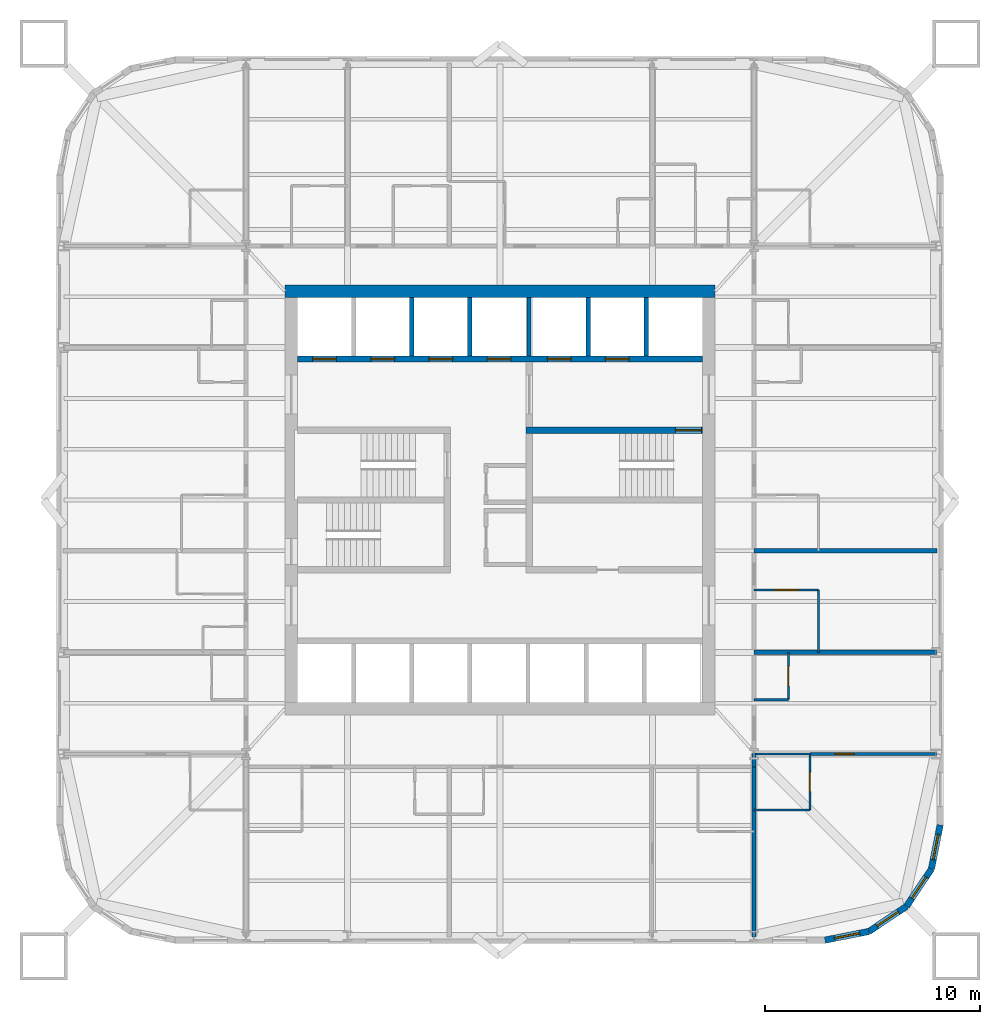
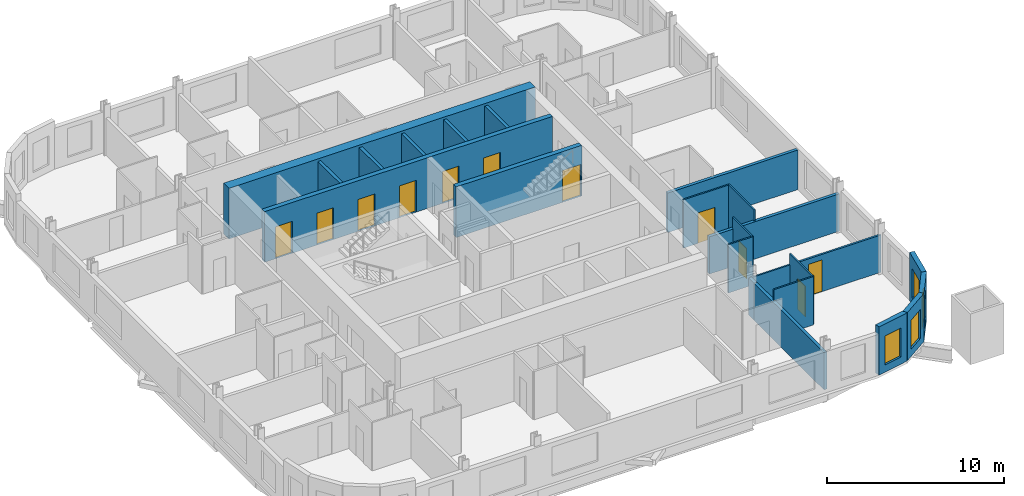
# One storey, part 5 of 9: 24 walls, 11 doors, 4 windows, 15 openings.
"""IFC4 building model written with IfcOpenShell, lengths in metres."""

from ifc_helpers import new_model, si_unit, direction, frame, frame_2d, origin, place, context, subcontext, project, spatial, rectangle, extrude, material, layer, layer_set, type_object, element, fill, save


model = new_model("IFC4")

# Units and contexts
model_context = context("Model", 3, precision=1e-05, world=origin(), true_north=direction((0.0, 1.0)))
body_context = subcontext(model_context, "Body", "Model", "MODEL_VIEW")
ifc_project = project(units=[si_unit("LENGTHUNIT", "METRE"), si_unit("AREAUNIT", "SQUARE_METRE"), si_unit("VOLUMEUNIT", "CUBIC_METRE"), si_unit("PLANEANGLEUNIT", "RADIAN"), si_unit("MASSUNIT", "GRAM", prefix="KILO")], contexts=[model_context])

# Site, building, storey
site_placement = place(None, origin())
site = spatial("IfcSite", under=ifc_project, at=site_placement, CompositionType="ELEMENT")
building_placement = place(site_placement, origin())
building = spatial("IfcBuilding", under=site, at=building_placement, Name="Turquesa Mirador Hotel Tower", CompositionType="ELEMENT")
storey_placement = place(building_placement, frame((0.0, 0.0, 124.89990234375)))
storey = spatial("IfcBuildingStorey", under=building, at=storey_placement, Name="L33", CompositionType="ELEMENT", Elevation=124.89990234375)

# Walls
ifc_material_1 = material(Name="Gypsum board on steel studs", Category="steel")
ifc_layer_1 = layer(ifc_material_1, 0.10009765625)
ifc_layer_set_1 = layer_set([ifc_layer_1], Name="BATHROOM WALL 100")
wall_type_1 = type_object("IfcWallType", Name="BATHROOM WALL 100", PredefinedType="PARTITIONING", material=ifc_layer_set_1)
wall_1_placement = place(storey_placement, frame((66.800048828125, 33.199951171875, 0.0), z_axis=(0.0, 0.0, 1.0), x_axis=(1.0, 0.0, 0.0)))
element("IfcWall", 1, at=wall_1_placement, inside=storey, type_object=wall_type_1, Name="Partition L33 002", PredefinedType="PARTITIONING", context=body_context, shape_type="SweptSolid", body=[
    extrude(rectangle(XDim=2.599853515625, YDim=0.10009765625, at=frame_2d((1.2998046875, 0.0))), origin(), (0.0, 0.0, 1.0), 2.5732421875),
])
wall_2_placement = place(storey_placement, frame((66.800048828125, 30.60009765625, 0.0), z_axis=(0.0, 0.0, 1.0), x_axis=(1.0, 0.0, 0.0)))
element("IfcWall", 2, at=wall_2_placement, inside=storey, type_object=wall_type_1, Name="Partition L33 007", PredefinedType="PARTITIONING", context=body_context, shape_type="SweptSolid", body=[
    extrude(rectangle(XDim=2.599853515625, YDim=0.10009765625, at=frame_2d((1.2998046875, 0.0))), origin(), (0.0, 0.0, 1.0), 3.330078125),
])

# Wall, opening, door
wall_3_placement = place(storey_placement, frame((66.800048828125, 40.820068359375, 0.0), z_axis=(0.0, 0.0, 1.0), x_axis=(1.0, 0.0, 0.0)))
wall_3 = element("IfcWall", 3, at=wall_3_placement, inside=storey, type_object=wall_type_1, Name="Partition L33 015", PredefinedType="PARTITIONING", context=body_context, shape_type="SweptSolid", body=[
    extrude(rectangle(XDim=3.0, YDim=0.10009765625, at=frame_2d((1.5, 0.0))), origin(), (0.0, 0.0, 1.0), 3.330078125),
])
opening_1_placement = place(wall_3_placement, frame((0.949951171875, 0.0, 0.0)))
opening_1 = element("IfcOpeningElement", 4, at=opening_1_placement, cuts=wall_3, Name="Opening D16", PredefinedType="OPENING", context=body_context, shape_type="SweptSolid", body=[
    extrude(rectangle(XDim=1.10009765625, YDim=2.10009765625, at=frame_2d((0.550048828125, 1.050048828125))), frame((0.0, 0.06005859375, 0.0), z_axis=(0.0, -1.0, 0.0), x_axis=(1.0, 0.0, 0.0)), (0.0, 0.0, 1.0), 0.1201171875),
])
ifc_material_2 = material(Name="Timber veneered sliding door", Category="wood")
door_type_1 = type_object("IfcDoorType", Name="DOOR 1100X2100 ACCESSIBLE EN-SUITE", OperationType="SLIDING_TO_LEFT", PredefinedType="DOOR", material=ifc_material_2)
door_1_placement = place(opening_1_placement, origin())
door_1 = element("IfcDoor", 5, at=door_1_placement, inside=storey, type_object=door_type_1, Name="Door 3307B", OperationType="SLIDING_TO_LEFT", OverallHeight=2.10009765625, OverallWidth=1.10009765625, PredefinedType="DOOR", context=body_context, shape_type="SweptSolid", body=[
    extrude(rectangle(XDim=1.10009765625, YDim=2.10009765625, at=frame_2d((0.550048828125, 1.050048828125))), frame((0.0, 0.02490234375, 0.0), z_axis=(0.0, -1.0, 0.0), x_axis=(1.0, 0.0, 0.0)), (0.0, 0.0, 1.0), 0.050048828125),
])
fill(opening_1, door_1)

# Wall
wall_4_placement = place(storey_placement, frame((66.800048828125, 35.719970703125, 0.0), z_axis=(0.0, 0.0, 1.0), x_axis=(1.0, 0.0, 0.0)))
element("IfcWall", 6, at=wall_4_placement, inside=storey, type_object=wall_type_1, Name="Partition L33 021", PredefinedType="PARTITIONING", context=body_context, shape_type="SweptSolid", body=[
    extrude(rectangle(XDim=1.599853515625, YDim=0.10009765625, at=frame_2d((0.7998046875, 0.0))), origin(), (0.0, 0.0, 1.0), 3.330078125),
])

# Wall, opening, door
wall_5_placement = place(storey_placement, frame((68.39990234375, 35.719970703125, 0.0), z_axis=(0.0, 0.0, 1.0), x_axis=(0.0, 1.0, 0.0)))
wall_5 = element("IfcWall", 7, at=wall_5_placement, inside=storey, type_object=wall_type_1, Name="Partition L33 068", PredefinedType="PARTITIONING", context=body_context, shape_type="SweptSolid", body=[
    extrude(rectangle(XDim=2.199951171875, YDim=0.10009765625, at=frame_2d((1.10009765625, 0.0))), origin(), (0.0, 0.0, 1.0), 3.330078125),
])
opening_2_placement = place(wall_5_placement, frame((0.64990234375, 0.0, 0.0)))
opening_2 = element("IfcOpeningElement", 8, at=opening_2_placement, cuts=wall_5, Name="Opening D06", PredefinedType="OPENING", context=body_context, shape_type="SweptSolid", body=[
    extrude(rectangle(XDim=0.89990234375, YDim=2.10009765625, at=frame_2d((0.449951171875, 1.050048828125))), frame((0.0, 0.06005859375, 0.0), z_axis=(0.0, -1.0, 0.0), x_axis=(1.0, 0.0, 0.0)), (0.0, 0.0, 1.0), 0.1201171875),
])
ifc_material_3 = material(Name="Laminate door", Category="wood")
door_type_2 = type_object("IfcDoorType", Name="DOOR 900X2100 WC", OperationType="SINGLE_SWING_LEFT", PredefinedType="DOOR", material=ifc_material_3)
door_2_placement = place(opening_2_placement, origin())
door_2 = element("IfcDoor", 9, at=door_2_placement, inside=storey, type_object=door_type_2, Name="Door 3314W", OperationType="SINGLE_SWING_LEFT", OverallHeight=2.10009765625, OverallWidth=0.89990234375, PredefinedType="DOOR", context=body_context, shape_type="SweptSolid", body=[
    extrude(rectangle(XDim=0.89990234375, YDim=2.10009765625, at=frame_2d((0.449951171875, 1.050048828125))), frame((0.0, 0.02490234375, 0.0), z_axis=(0.0, -1.0, 0.0), x_axis=(1.0, 0.0, 0.0)), (0.0, 0.0, 1.0), 0.050048828125),
])
fill(opening_2, door_2)

wall_6_placement = place(storey_placement, frame((69.39990234375, 30.60009765625, 0.0), z_axis=(0.0, 0.0, 1.0), x_axis=(0.0, 1.0, 0.0)))
wall_6 = element("IfcWall", 10, at=wall_6_placement, inside=storey, type_object=wall_type_1, Name="Partition L33 071", PredefinedType="PARTITIONING", context=body_context, shape_type="SweptSolid", body=[
    extrude(rectangle(XDim=2.599853515625, YDim=0.10009765625, at=frame_2d((1.2998046875, 0.0))), origin(), (0.0, 0.0, 1.0), 3.330078125),
])
opening_3_placement = place(wall_6_placement, frame((0.85009765625, 0.0, 0.0)))
opening_3 = element("IfcOpeningElement", 11, at=opening_3_placement, cuts=wall_6, Name="Opening D02", PredefinedType="OPENING", context=body_context, shape_type="SweptSolid", body=[
    extrude(rectangle(XDim=0.89990234375, YDim=2.10009765625, at=frame_2d((0.449951171875, 1.050048828125))), frame((0.0, 0.06005859375, 0.0), z_axis=(0.0, -1.0, 0.0), x_axis=(1.0, 0.0, 0.0)), (0.0, 0.0, 1.0), 0.1201171875),
])
ifc_material_4 = material(Name="Timber veneered door", Category="wood")
door_type_3 = type_object("IfcDoorType", Name="DOOR 900X2100 EN-SUITE", OperationType="SINGLE_SWING_RIGHT", PredefinedType="DOOR", material=ifc_material_4)
door_3_placement = place(opening_3_placement, origin())
door_3 = element("IfcDoor", 12, at=door_3_placement, inside=storey, type_object=door_type_3, Name="Door 3314B", OperationType="SINGLE_SWING_RIGHT", OverallHeight=2.10009765625, OverallWidth=0.89990234375, PredefinedType="DOOR", context=body_context, shape_type="SweptSolid", body=[
    extrude(rectangle(XDim=0.89990234375, YDim=2.10009765625, at=frame_2d((0.449951171875, 1.050048828125))), frame((0.0, 0.02490234375, 0.0), z_axis=(0.0, -1.0, 0.0), x_axis=(1.0, 0.0, 0.0)), (0.0, 0.0, 1.0), 0.050048828125),
])
fill(opening_3, door_3)

# Wall
wall_7_placement = place(storey_placement, frame((69.800048828125, 37.919921875, 0.0), z_axis=(0.0, 0.0, 1.0), x_axis=(0.0, 1.0, 0.0)))
element("IfcWall", 13, at=wall_7_placement, inside=storey, type_object=wall_type_1, Name="Partition L33 073", PredefinedType="PARTITIONING", context=body_context, shape_type="SweptSolid", body=[
    extrude(rectangle(XDim=2.900146484375, YDim=0.10009765625, at=frame_2d((1.4501953125, 0.0))), origin(), (0.0, 0.0, 1.0), 3.330078125),
])

# Wall, openings, doors
ifc_material_5 = material(Name="Concrete C50/60", Category="concrete")
ifc_layer_2 = layer(ifc_material_5, 0.300048828125)
ifc_layer_set_2 = layer_set([ifc_layer_2], Name="CORE INNER WALL 300")
wall_type_2 = type_object("IfcWallType", Name="CORE INNER WALL 300", PredefinedType="SHEAR", material=ifc_layer_set_2)
wall_8_placement = place(storey_placement, frame((45.60009765625, 51.550048828125, 0.0), z_axis=(0.0, 0.0, 1.0), x_axis=(1.0, 0.0, 0.0)))
wall_8 = element("IfcWall", 14, at=wall_8_placement, inside=storey, type_object=wall_type_2, Name="Core wall NL", PredefinedType="SHEAR", context=body_context, shape_type="SweptSolid", body=[
    extrude(rectangle(XDim=18.7998046875, YDim=0.300048828125, at=frame_2d((9.39990234375, 0.0))), origin(), (0.0, 0.0, 1.0), 3.5),
])
opening_4_placement = place(wall_8_placement, frame((0.699951171875, 0.0, 0.0)))
opening_4 = element("IfcOpeningElement", 15, at=opening_4_placement, cuts=wall_8, Name="Opening LD", PredefinedType="OPENING", context=body_context, shape_type="SweptSolid", body=[
    extrude(rectangle(XDim=1.10009765625, YDim=2.199951171875, at=frame_2d((0.550048828125, 1.10009765625))), frame((0.0, 0.159912109375, 0.0), z_axis=(0.0, -1.0, 0.0), x_axis=(1.0, 0.0, 0.0)), (0.0, 0.0, 1.0), 0.320068359375),
])
opening_5_placement = place(wall_8_placement, frame((3.39990234375, 0.0, 0.0)))
opening_5 = element("IfcOpeningElement", 16, at=opening_5_placement, cuts=wall_8, Name="Opening LD", PredefinedType="OPENING", context=body_context, shape_type="SweptSolid", body=[
    extrude(rectangle(XDim=1.10009765625, YDim=2.199951171875, at=frame_2d((0.550048828125, 1.10009765625))), frame((0.0, 0.159912109375, 0.0), z_axis=(0.0, -1.0, 0.0), x_axis=(1.0, 0.0, 0.0)), (0.0, 0.0, 1.0), 0.320068359375),
])
opening_6_placement = place(wall_8_placement, frame((6.10009765625, 0.0, 0.0)))
opening_6 = element("IfcOpeningElement", 17, at=opening_6_placement, cuts=wall_8, Name="Opening LD", PredefinedType="OPENING", context=body_context, shape_type="SweptSolid", body=[
    extrude(rectangle(XDim=1.10009765625, YDim=2.199951171875, at=frame_2d((0.550048828125, 1.10009765625))), frame((0.0, 0.159912109375, 0.0), z_axis=(0.0, -1.0, 0.0), x_axis=(1.0, 0.0, 0.0)), (0.0, 0.0, 1.0), 0.320068359375),
])
opening_7_placement = place(wall_8_placement, frame((8.800048828125, 0.0, 0.0)))
opening_7 = element("IfcOpeningElement", 18, at=opening_7_placement, cuts=wall_8, Name="Opening LD", PredefinedType="OPENING", context=body_context, shape_type="SweptSolid", body=[
    extrude(rectangle(XDim=1.10009765625, YDim=2.199951171875, at=frame_2d((0.550048828125, 1.10009765625))), frame((0.0, 0.159912109375, 0.0), z_axis=(0.0, -1.0, 0.0), x_axis=(1.0, 0.0, 0.0)), (0.0, 0.0, 1.0), 0.320068359375),
])
opening_8_placement = place(wall_8_placement, frame((11.60009765625, 0.0, 0.0)))
opening_8 = element("IfcOpeningElement", 19, at=opening_8_placement, cuts=wall_8, Name="Opening LD", PredefinedType="OPENING", context=body_context, shape_type="SweptSolid", body=[
    extrude(rectangle(XDim=1.10009765625, YDim=2.199951171875, at=frame_2d((0.550048828125, 1.10009765625))), frame((0.0, 0.159912109375, 0.0), z_axis=(0.0, -1.0, 0.0), x_axis=(1.0, 0.0, 0.0)), (0.0, 0.0, 1.0), 0.320068359375),
])
opening_9_placement = place(wall_8_placement, frame((14.300048828125, 0.0, 0.0)))
opening_9 = element("IfcOpeningElement", 20, at=opening_9_placement, cuts=wall_8, Name="Opening LD", PredefinedType="OPENING", context=body_context, shape_type="SweptSolid", body=[
    extrude(rectangle(XDim=1.10009765625, YDim=2.199951171875, at=frame_2d((0.550048828125, 1.10009765625))), frame((0.0, 0.159912109375, 0.0), z_axis=(0.0, -1.0, 0.0), x_axis=(1.0, 0.0, 0.0)), (0.0, 0.0, 1.0), 0.320068359375),
])
ifc_material_6 = material(Name="Stainless steel lift landing door", Category="steel")
door_type_4 = type_object("IfcDoorType", Name="LIFT LANDING DOOR 1100X2200", OperationType="SLIDING_TO_LEFT", PredefinedType="DOOR", material=ifc_material_6)
door_4_placement = place(opening_4_placement, origin())
door_4 = element("IfcDoor", 21, at=door_4_placement, inside=storey, type_object=door_type_4, Name="Lift A1 landing door", OperationType="SLIDING_TO_LEFT", OverallHeight=2.199951171875, OverallWidth=1.10009765625, PredefinedType="DOOR", context=body_context, shape_type="SweptSolid", body=[
    extrude(rectangle(XDim=1.10009765625, YDim=2.199951171875, at=frame_2d((0.550048828125, 1.10009765625))), frame((0.0, 0.02490234375, 0.0), z_axis=(0.0, -1.0, 0.0), x_axis=(1.0, 0.0, 0.0)), (0.0, 0.0, 1.0), 0.050048828125),
])
fill(opening_4, door_4)
door_5_placement = place(opening_5_placement, origin())
door_5 = element("IfcDoor", 22, at=door_5_placement, inside=storey, type_object=door_type_4, Name="Lift A2 landing door", OperationType="SLIDING_TO_LEFT", OverallHeight=2.199951171875, OverallWidth=1.10009765625, PredefinedType="DOOR", context=body_context, shape_type="SweptSolid", body=[
    extrude(rectangle(XDim=1.10009765625, YDim=2.199951171875, at=frame_2d((0.550048828125, 1.10009765625))), frame((0.0, 0.02490234375, 0.0), z_axis=(0.0, -1.0, 0.0), x_axis=(1.0, 0.0, 0.0)), (0.0, 0.0, 1.0), 0.050048828125),
])
fill(opening_5, door_5)
door_6_placement = place(opening_6_placement, origin())
door_6 = element("IfcDoor", 23, at=door_6_placement, inside=storey, type_object=door_type_4, Name="Lift A3 landing door", OperationType="SLIDING_TO_LEFT", OverallHeight=2.199951171875, OverallWidth=1.10009765625, PredefinedType="DOOR", context=body_context, shape_type="SweptSolid", body=[
    extrude(rectangle(XDim=1.10009765625, YDim=2.199951171875, at=frame_2d((0.550048828125, 1.10009765625))), frame((0.0, 0.02490234375, 0.0), z_axis=(0.0, -1.0, 0.0), x_axis=(1.0, 0.0, 0.0)), (0.0, 0.0, 1.0), 0.050048828125),
])
fill(opening_6, door_6)
door_7_placement = place(opening_7_placement, origin())
door_7 = element("IfcDoor", 24, at=door_7_placement, inside=storey, type_object=door_type_4, Name="Lift A4 landing door", OperationType="SLIDING_TO_LEFT", OverallHeight=2.199951171875, OverallWidth=1.10009765625, PredefinedType="DOOR", context=body_context, shape_type="SweptSolid", body=[
    extrude(rectangle(XDim=1.10009765625, YDim=2.199951171875, at=frame_2d((0.550048828125, 1.10009765625))), frame((0.0, 0.02490234375, 0.0), z_axis=(0.0, -1.0, 0.0), x_axis=(1.0, 0.0, 0.0)), (0.0, 0.0, 1.0), 0.050048828125),
])
fill(opening_7, door_7)
door_8_placement = place(opening_8_placement, origin())
door_8 = element("IfcDoor", 25, at=door_8_placement, inside=storey, type_object=door_type_4, Name="Lift S1 landing door", OperationType="SLIDING_TO_LEFT", OverallHeight=2.199951171875, OverallWidth=1.10009765625, PredefinedType="DOOR", context=body_context, shape_type="SweptSolid", body=[
    extrude(rectangle(XDim=1.10009765625, YDim=2.199951171875, at=frame_2d((0.550048828125, 1.10009765625))), frame((0.0, 0.02490234375, 0.0), z_axis=(0.0, -1.0, 0.0), x_axis=(1.0, 0.0, 0.0)), (0.0, 0.0, 1.0), 0.050048828125),
])
fill(opening_8, door_8)
door_9_placement = place(opening_9_placement, origin())
door_9 = element("IfcDoor", 26, at=door_9_placement, inside=storey, type_object=door_type_4, Name="Lift S2 landing door", OperationType="SLIDING_TO_LEFT", OverallHeight=2.199951171875, OverallWidth=1.10009765625, PredefinedType="DOOR", context=body_context, shape_type="SweptSolid", body=[
    extrude(rectangle(XDim=1.10009765625, YDim=2.199951171875, at=frame_2d((0.550048828125, 1.10009765625))), frame((0.0, 0.02490234375, 0.0), z_axis=(0.0, -1.0, 0.0), x_axis=(1.0, 0.0, 0.0)), (0.0, 0.0, 1.0), 0.050048828125),
])
fill(opening_9, door_9)

# Wall, opening, door
wall_9_placement = place(storey_placement, frame((56.199951171875, 48.25, 0.0), z_axis=(0.0, 0.0, 1.0), x_axis=(1.0, 0.0, 0.0)))
wall_9 = element("IfcWall", 27, at=wall_9_placement, inside=storey, type_object=wall_type_2, Name="Core wall MN-E", PredefinedType="SHEAR", context=body_context, shape_type="SweptSolid", body=[
    extrude(rectangle(XDim=8.199951171875, YDim=0.300048828125, at=frame_2d((4.10009765625, 0.0))), origin(), (0.0, 0.0, 1.0), 3.5),
])
opening_10_placement = place(wall_9_placement, frame((6.949951171875, 0.0, 0.0)))
opening_10 = element("IfcOpeningElement", 28, at=opening_10_placement, cuts=wall_9, Name="Opening D03", PredefinedType="OPENING", context=body_context, shape_type="SweptSolid", body=[
    extrude(rectangle(XDim=1.199951171875, YDim=2.199951171875, at=frame_2d((0.60009765625, 1.10009765625))), frame((0.0, 0.159912109375, 0.0), z_axis=(0.0, -1.0, 0.0), x_axis=(1.0, 0.0, 0.0)), (0.0, 0.0, 1.0), 0.320068359375),
])
ifc_material_7 = material(Name="Steel fire door", Category="steel")
door_type_5 = type_object("IfcDoorType", Name="DOOR 1200X2200 STAIR", OperationType="SINGLE_SWING_LEFT", PredefinedType="DOOR", material=ifc_material_7)
door_10_placement = place(opening_10_placement, origin())
door_10 = element("IfcDoor", 29, at=door_10_placement, inside=storey, type_object=door_type_5, Name="Stair ST3 door", OperationType="SINGLE_SWING_LEFT", OverallHeight=2.199951171875, OverallWidth=1.199951171875, PredefinedType="DOOR", context=body_context, shape_type="SweptSolid", body=[
    extrude(rectangle(XDim=1.199951171875, YDim=2.199951171875, at=frame_2d((0.60009765625, 1.10009765625))), frame((0.0, 0.02490234375, 0.0), z_axis=(0.0, -1.0, 0.0), x_axis=(1.0, 0.0, 0.0)), (0.0, 0.0, 1.0), 0.050048828125),
])
fill(opening_10, door_10)

# Walls
ifc_material_8 = material(Name="Concrete C50/60", Category="concrete")
ifc_layer_3 = layer(ifc_material_8, 0.60009765625)
ifc_layer_set_3 = layer_set([ifc_layer_3], Name="CORE WALL 600")
wall_type_3 = type_object("IfcWallType", Name="CORE WALL 600", PredefinedType="SHEAR", material=ifc_layer_set_3)
wall_10_placement = place(storey_placement, frame((45.0, 54.699951171875, 0.0), z_axis=(0.0, 0.0, 1.0), x_axis=(1.0, 0.0, 0.0)))
element("IfcWall", 30, at=wall_10_placement, inside=storey, type_object=wall_type_3, Name="Core wall N", PredefinedType="SHEAR", context=body_context, shape_type="SweptSolid", body=[
    extrude(rectangle(XDim=20.0, YDim=0.60009765625, at=frame_2d((10.0, 0.0))), origin(), (0.0, 0.0, 1.0), 3.5),
])
ifc_material_9 = material(Name="Fire-rated gypsum board on steel studs", Category="steel")
ifc_layer_4 = layer(ifc_material_9, 0.199951171875)
ifc_layer_set_4 = layer_set([ifc_layer_4], Name="CORRIDOR WALL 200")
wall_type_4 = type_object("IfcWallType", Name="CORRIDOR WALL 200", PredefinedType="PARTITIONING", material=ifc_layer_set_4)
wall_11_placement = place(storey_placement, frame((66.800048828125, 32.60009765625, 0.0), z_axis=(0.0, 0.0, 1.0), x_axis=(0.0, 1.0, 0.0)))
element("IfcWall", 31, at=wall_11_placement, inside=storey, type_object=wall_type_4, Name="Partition L33 081", PredefinedType="PARTITIONING", context=body_context, shape_type="SweptSolid", body=[
    extrude(rectangle(XDim=0.619873046875, YDim=0.199951171875, at=frame_2d((0.31005859375, 0.0))), origin(), (0.0, 0.0, 1.0), 2.5732421875),
])

# Wall, opening, window
ifc_material_10 = material(Name="Limestone cladding on concrete block", Category="masonry")
ifc_layer_5 = layer(ifc_material_10, 0.300048828125)
ifc_layer_set_5 = layer_set([ifc_layer_5], Name="FACADE WALL 300 STONE SCREEN")
wall_type_5 = type_object("IfcWallType", Name="FACADE WALL 300 STONE SCREEN", PredefinedType="SOLIDWALL", material=ifc_layer_set_5)
wall_12_placement = place(storey_placement, frame((70.10009765625, 24.550048828125, 0.0), z_axis=(0.0, 0.0, 1.0), x_axis=(0.980787050784, 0.195081421501, 0.0)))
wall_12 = element("IfcWall", 32, at=wall_12_placement, inside=storey, type_object=wall_type_5, Name="Facade wall L33 00", PredefinedType="SOLIDWALL", context=body_context, shape_type="SweptSolid", body=[
    extrude(rectangle(XDim=2.08740234375, YDim=0.300048828125, at=frame_2d((1.043701171875, 0.0))), origin(), (0.0, 0.0, 1.0), 3.330078125),
])
opening_11_placement = place(wall_12_placement, frame((0.443603515625, 0.0, 0.5)))
opening_11 = element("IfcOpeningElement", 33, at=opening_11_placement, cuts=wall_12, Name="Opening WN4", PredefinedType="OPENING", context=body_context, shape_type="SweptSolid", body=[
    extrude(rectangle(XDim=1.199951171875, YDim=2.0, at=frame_2d((0.60009765625, 1.0))), frame((0.0, 0.159912109375, 0.0), z_axis=(0.0, -1.0, 0.0), x_axis=(1.0, 0.0, 0.0)), (0.0, 0.0, 1.0), 0.320068359375),
])
ifc_material_11 = material(Name="Ceramic-fritted laminated glass", Category="glass")
window_type = type_object("IfcWindowType", Name="FRITTED CORNER WINDOW 1200X2000", PartitioningType="DOUBLE_PANEL_HORIZONTAL", PredefinedType="WINDOW", material=ifc_material_11)
window_1_placement = place(opening_11_placement, origin())
window_1 = element("IfcWindow", 34, at=window_1_placement, inside=storey, type_object=window_type, Name="Window L33", OverallHeight=2.0, OverallWidth=1.199951171875, PartitioningType="SINGLE_PANEL", PredefinedType="WINDOW", context=body_context, shape_type="SweptSolid", body=[
    extrude(rectangle(XDim=1.199951171875, YDim=2.0, at=frame_2d((0.60009765625, 1.0))), frame((0.0, 0.030029296875, 0.0), z_axis=(0.0, -1.0, 0.0), x_axis=(1.0, 0.0, 0.0)), (0.0, 0.0, 1.0), 0.06005859375),
])
fill(opening_11, window_1)

wall_13_placement = place(storey_placement, frame((72.1474609375, 24.957275390625, 0.0), z_axis=(0.0, 0.0, 1.0), x_axis=(0.831474039234, 0.555563607591, 0.0)))
wall_13 = element("IfcWall", 35, at=wall_13_placement, inside=storey, type_object=wall_type_5, Name="Facade wall L33 01", PredefinedType="SOLIDWALL", context=body_context, shape_type="SweptSolid", body=[
    extrude(rectangle(XDim=2.08740234375, YDim=0.300048828125, at=frame_2d((1.043701171875, 0.0))), origin(), (0.0, 0.0, 1.0), 3.330078125),
])
opening_12_placement = place(wall_13_placement, frame((0.443603515625, 0.0, 0.5)))
opening_12 = element("IfcOpeningElement", 36, at=opening_12_placement, cuts=wall_13, Name="Opening WN4", PredefinedType="OPENING", context=body_context, shape_type="SweptSolid", body=[
    extrude(rectangle(XDim=1.199951171875, YDim=2.0, at=frame_2d((0.60009765625, 1.0))), frame((0.0, 0.159912109375, 0.0), z_axis=(0.0, -1.0, 0.0), x_axis=(1.0, 0.0, 0.0)), (0.0, 0.0, 1.0), 0.320068359375),
])
window_2_placement = place(opening_12_placement, origin())
window_2 = element("IfcWindow", 37, at=window_2_placement, inside=storey, type_object=window_type, Name="Window L33", OverallHeight=2.0, OverallWidth=1.199951171875, PartitioningType="SINGLE_PANEL", PredefinedType="WINDOW", context=body_context, shape_type="SweptSolid", body=[
    extrude(rectangle(XDim=1.199951171875, YDim=2.0, at=frame_2d((0.60009765625, 1.0))), frame((0.0, 0.030029296875, 0.0), z_axis=(0.0, -1.0, 0.0), x_axis=(1.0, 0.0, 0.0)), (0.0, 0.0, 1.0), 0.06005859375),
])
fill(opening_12, window_2)

wall_14_placement = place(storey_placement, frame((73.883056640625, 26.116943359375, 0.0), z_axis=(0.0, 0.0, 1.0), x_axis=(0.555563607591, 0.831474039234, 0.0)))
wall_14 = element("IfcWall", 38, at=wall_14_placement, inside=storey, type_object=wall_type_5, Name="Facade wall L33 02", PredefinedType="SOLIDWALL", context=body_context, shape_type="SweptSolid", body=[
    extrude(rectangle(XDim=2.08740234375, YDim=0.300048828125, at=frame_2d((1.043701171875, 0.0))), origin(), (0.0, 0.0, 1.0), 3.330078125),
])
opening_13_placement = place(wall_14_placement, frame((0.443603515625, 0.0, 0.5)))
opening_13 = element("IfcOpeningElement", 39, at=opening_13_placement, cuts=wall_14, Name="Opening WN4", PredefinedType="OPENING", context=body_context, shape_type="SweptSolid", body=[
    extrude(rectangle(XDim=1.199951171875, YDim=2.0, at=frame_2d((0.60009765625, 1.0))), frame((0.0, 0.159912109375, 0.0), z_axis=(0.0, -1.0, 0.0), x_axis=(1.0, 0.0, 0.0)), (0.0, 0.0, 1.0), 0.320068359375),
])
window_3_placement = place(opening_13_placement, origin())
window_3 = element("IfcWindow", 40, at=window_3_placement, inside=storey, type_object=window_type, Name="Window L33", OverallHeight=2.0, OverallWidth=1.199951171875, PartitioningType="SINGLE_PANEL", PredefinedType="WINDOW", context=body_context, shape_type="SweptSolid", body=[
    extrude(rectangle(XDim=1.199951171875, YDim=2.0, at=frame_2d((0.60009765625, 1.0))), frame((0.0, 0.030029296875, 0.0), z_axis=(0.0, -1.0, 0.0), x_axis=(1.0, 0.0, 0.0)), (0.0, 0.0, 1.0), 0.06005859375),
])
fill(opening_13, window_3)

wall_15_placement = place(storey_placement, frame((75.042724609375, 27.8525390625, 0.0), z_axis=(0.0, 0.0, 1.0), x_axis=(0.195081421501, 0.980787050784, 0.0)))
wall_15 = element("IfcWall", 41, at=wall_15_placement, inside=storey, type_object=wall_type_5, Name="Facade wall L33 03", PredefinedType="SOLIDWALL", context=body_context, shape_type="SweptSolid", body=[
    extrude(rectangle(XDim=2.08740234375, YDim=0.300048828125, at=frame_2d((1.043701171875, 0.0))), origin(), (0.0, 0.0, 1.0), 3.330078125),
])
opening_14_placement = place(wall_15_placement, frame((0.443603515625, 0.0, 0.5)))
opening_14 = element("IfcOpeningElement", 42, at=opening_14_placement, cuts=wall_15, Name="Opening WN4", PredefinedType="OPENING", context=body_context, shape_type="SweptSolid", body=[
    extrude(rectangle(XDim=1.199951171875, YDim=2.0, at=frame_2d((0.60009765625, 1.0))), frame((0.0, 0.159912109375, 0.0), z_axis=(0.0, -1.0, 0.0), x_axis=(1.0, 0.0, 0.0)), (0.0, 0.0, 1.0), 0.320068359375),
])
window_4_placement = place(opening_14_placement, origin())
window_4 = element("IfcWindow", 43, at=window_4_placement, inside=storey, type_object=window_type, Name="Window L33", OverallHeight=2.0, OverallWidth=1.199951171875, PartitioningType="SINGLE_PANEL", PredefinedType="WINDOW", context=body_context, shape_type="SweptSolid", body=[
    extrude(rectangle(XDim=1.199951171875, YDim=2.0, at=frame_2d((0.60009765625, 1.0))), frame((0.0, 0.030029296875, 0.0), z_axis=(0.0, -1.0, 0.0), x_axis=(1.0, 0.0, 0.0)), (0.0, 0.0, 1.0), 0.06005859375),
])
fill(opening_14, window_4)

# Walls
ifc_material_12 = material(Name="Fire-rated gypsum shaft wall on steel studs", Category="steel")
ifc_layer_6 = layer(ifc_material_12, 0.199951171875)
ifc_layer_set_6 = layer_set([ifc_layer_6], Name="LIFT SHAFT DIVIDER 200")
wall_type_6 = type_object("IfcWallType", Name="LIFT SHAFT DIVIDER 200", PredefinedType="PARTITIONING", material=ifc_layer_set_6)
for number, where, z_axis, x_axis, name in (
    (44, (50.89990234375, 51.699951171875, 0.0), (0.0, 0.0, 1.0), (0.0, 1.0, 0.0), "Lift shaft divider"),
    (45, (53.60009765625, 51.699951171875, 0.0), (0.0, 0.0, 1.0), (0.0, 1.0, 0.0), "Lift shaft divider"),
    (46, (59.10009765625, 51.699951171875, 0.0), (0.0, 0.0, 1.0), (0.0, 1.0, 0.0), "Lift shaft divider"),
    (47, (61.800048828125, 51.699951171875, 0.0), (0.0, 0.0, 1.0), (0.0, 1.0, 0.0), "Lift shaft divider"),
    (48, (56.35009765625, 51.699951171875, 0.0), (0.0, 0.0, 1.0), (0.0, 1.0, 0.0), "Lift shaft divider"),
):
    element("IfcWall", number, at=place(storey_placement, frame(where, z_axis=z_axis, x_axis=x_axis)), inside=storey, type_object=wall_type_6, Name=name, PredefinedType="PARTITIONING", context=body_context, shape_type="SweptSolid", body=[
        extrude(rectangle(XDim=2.699951171875, YDim=0.199951171875, at=frame_2d((1.35009765625, 0.0))), origin(), (0.0, 0.0, 1.0), 3.330078125),
    ])
ifc_material_13 = material(Name="Fire-rated gypsum board on steel studs", Category="steel")
ifc_layer_7 = layer(ifc_material_13, 0.199951171875)
ifc_layer_set_7 = layer_set([ifc_layer_7], Name="PARTY WALL 200")
wall_type_7 = type_object("IfcWallType", Name="PARTY WALL 200", PredefinedType="PARTITIONING", material=ifc_layer_set_7)
wall_16_placement = place(storey_placement, frame((66.800048828125, 42.639892578125, 0.0), z_axis=(0.0, 0.0, 1.0), x_axis=(1.0, 0.0, 0.0)))
element("IfcWall", 49, at=wall_16_placement, inside=storey, type_object=wall_type_7, Name="Partition L33 014", PredefinedType="PARTITIONING", context=body_context, shape_type="SweptSolid", body=[
    extrude(rectangle(XDim=8.5, YDim=0.199951171875, at=frame_2d((4.25, 0.0))), origin(), (0.0, 0.0, 1.0), 2.730712890625),
])
wall_17_placement = place(storey_placement, frame((66.800048828125, 37.919921875, 0.0), z_axis=(0.0, 0.0, 1.0), x_axis=(1.0, 0.0, 0.0)))
element("IfcWall", 50, at=wall_17_placement, inside=storey, type_object=wall_type_7, Name="Partition L33 019", PredefinedType="PARTITIONING", context=body_context, shape_type="SweptSolid", body=[
    extrude(rectangle(XDim=8.5, YDim=0.199951171875, at=frame_2d((4.25, 0.0))), origin(), (0.0, 0.0, 1.0), 2.5732421875),
])
wall_18_placement = place(storey_placement, frame((66.800048828125, 24.699951171875, 0.0), z_axis=(0.0, 0.0, 1.0), x_axis=(0.0, 1.0, 0.0)))
element("IfcWall", 51, at=wall_18_placement, inside=storey, type_object=wall_type_7, Name="Partition L33 066", PredefinedType="PARTITIONING", context=body_context, shape_type="SweptSolid", body=[
    extrude(rectangle(XDim=7.900146484375, YDim=0.199951171875, at=frame_2d((3.9501953125, 0.0))), origin(), (0.0, 0.0, 1.0), 2.5732421875),
])

# Wall, opening, door
ifc_material_14 = material(Name="Acoustic gypsum board on steel studs", Category="steel")
ifc_layer_8 = layer(ifc_material_14, 0.125)
ifc_layer_set_8 = layer_set([ifc_layer_8], Name="SUITE PARTITION 125")
wall_type_8 = type_object("IfcWallType", Name="SUITE PARTITION 125", PredefinedType="PARTITIONING", material=ifc_layer_set_8)
wall_19_placement = place(storey_placement, frame((69.39990234375, 33.199951171875, 0.0), z_axis=(0.0, 0.0, 1.0), x_axis=(1.0, 0.0, 0.0)))
wall_19 = element("IfcWall", 52, at=wall_19_placement, inside=storey, type_object=wall_type_8, Name="Partition L33 004", PredefinedType="PARTITIONING", context=body_context, shape_type="SweptSolid", body=[
    extrude(rectangle(XDim=5.900146484375, YDim=0.125, at=frame_2d((2.9501953125, 0.0))), origin(), (0.0, 0.0, 1.0), 2.5732421875),
])
opening_15_placement = place(wall_19_placement, frame((1.14990234375, 0.0, 0.0)))
opening_15 = element("IfcOpeningElement", 53, at=opening_15_placement, cuts=wall_19, Name="Opening D17", PredefinedType="OPENING", context=body_context, shape_type="SweptSolid", body=[
    extrude(rectangle(XDim=0.89990234375, YDim=2.199951171875, at=frame_2d((0.449951171875, 1.10009765625))), frame((0.0, 0.072509765625, 0.0), z_axis=(0.0, -1.0, 0.0), x_axis=(1.0, 0.0, 0.0)), (0.0, 0.0, 1.0), 0.14501953125),
])
ifc_material_15 = material(Name="Timber veneered door", Category="wood")
door_type_6 = type_object("IfcDoorType", Name="DOOR 900X2200 SUITE INTERNAL", OperationType="SINGLE_SWING_LEFT", PredefinedType="DOOR", material=ifc_material_15)
door_11_placement = place(opening_15_placement, origin())
door_11 = element("IfcDoor", 54, at=door_11_placement, inside=storey, type_object=door_type_6, Name="Door 3314R", OperationType="SINGLE_SWING_LEFT", OverallHeight=2.199951171875, OverallWidth=0.89990234375, PredefinedType="DOOR", context=body_context, shape_type="SweptSolid", body=[
    extrude(rectangle(XDim=0.89990234375, YDim=2.199951171875, at=frame_2d((0.449951171875, 1.10009765625))), frame((0.0, 0.02490234375, 0.0), z_axis=(0.0, -1.0, 0.0), x_axis=(1.0, 0.0, 0.0)), (0.0, 0.0, 1.0), 0.050048828125),
])
fill(opening_15, door_11)

save(model, "model.ifc")
